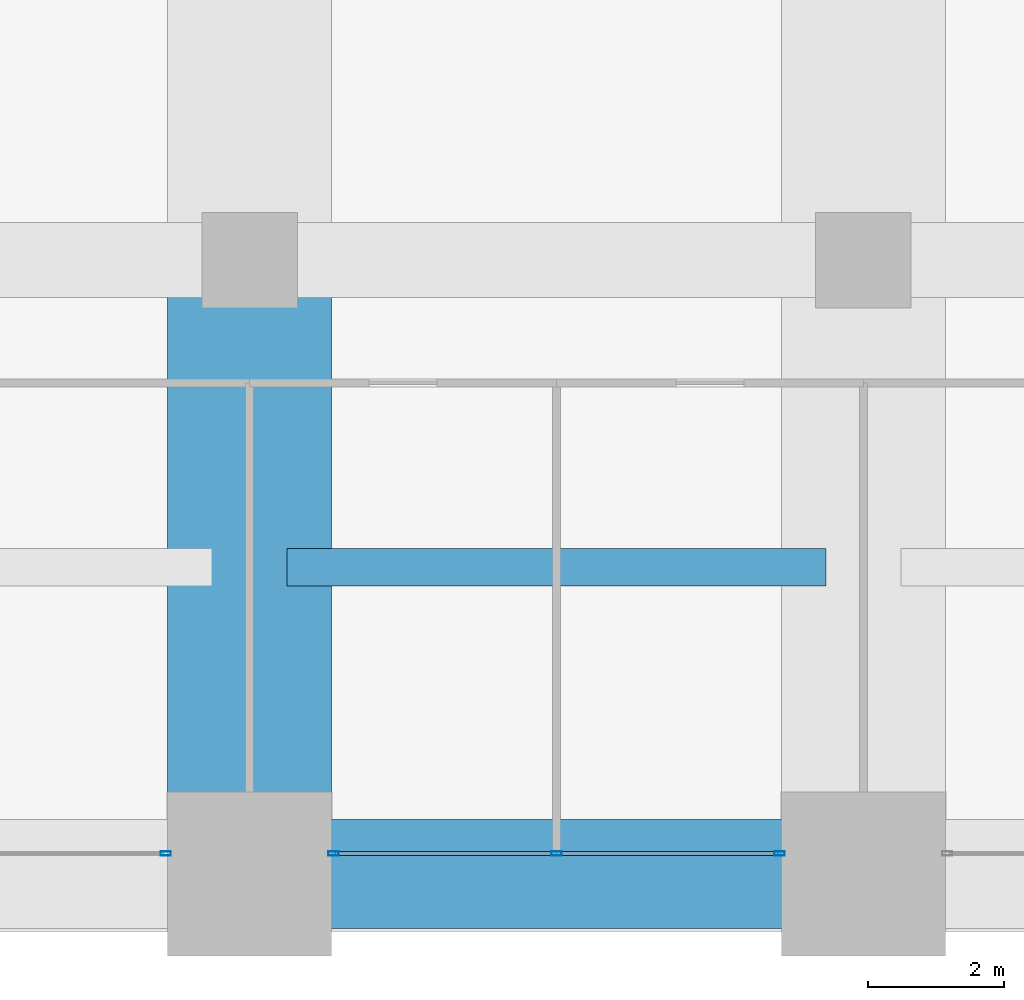
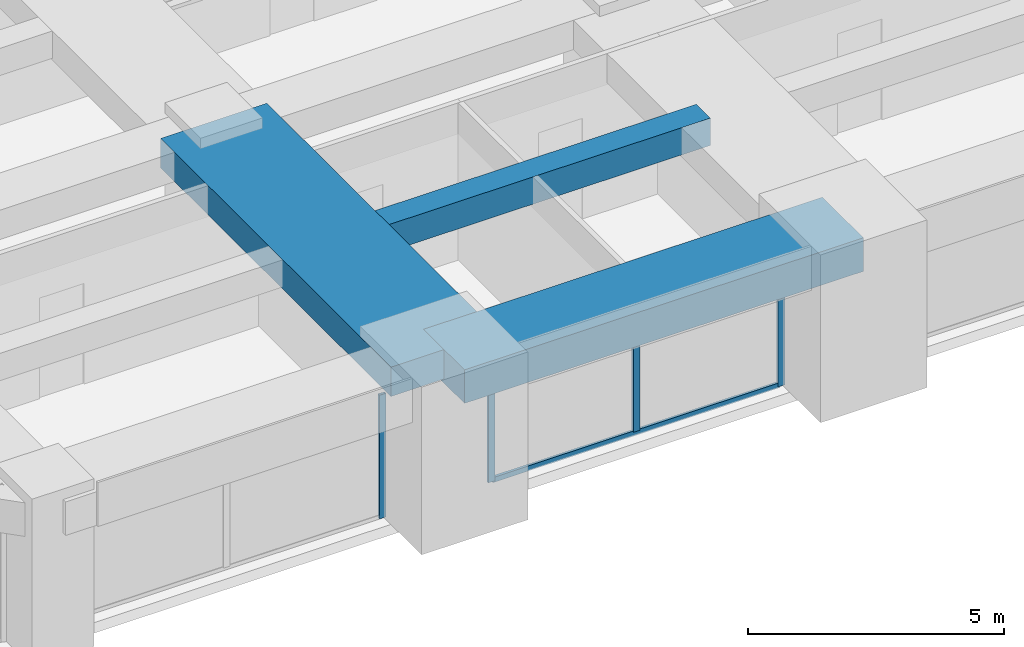
# One storey, part 6 of 35: 5 members, 3 beams, 2 elements without a shape of their own.
"""IFC4 building model written with IfcOpenShell, lengths in metres."""

from ifc_helpers import new_model, si_unit, direction, frame, origin, origin_2d, place, context, subcontext, project, spatial, rectangle, hollow_rectangle, extrude, material, material_profile, profile_set, type_object, element, aggregate, save


model = new_model("IFC4")

# Units and contexts
model_context = context("Model", 3, precision=1e-05, world=origin(), true_north=direction((0.0, 1.0)))
body_context = subcontext(model_context, "Body", "Model", "MODEL_VIEW")
ifc_project = project(units=[si_unit("LENGTHUNIT", "METRE"), si_unit("AREAUNIT", "SQUARE_METRE"), si_unit("VOLUMEUNIT", "CUBIC_METRE"), si_unit("PLANEANGLEUNIT", "RADIAN"), si_unit("MASSUNIT", "GRAM", prefix="KILO")], contexts=[model_context])

# Site, building, storey
site_placement = place(None, origin())
site = spatial("IfcSite", under=ifc_project, at=site_placement, CompositionType="ELEMENT")
building_placement = place(site_placement, origin())
building = spatial("IfcBuilding", under=site, at=building_placement, Name="Zorevar Civic Tower", CompositionType="ELEMENT")
storey_placement = place(building_placement, frame((0.0, 0.0, 222.199951171875)))
storey = spatial("IfcBuildingStorey", under=building, at=storey_placement, Name="L54", CompositionType="ELEMENT", Elevation=222.199951171875)

# Beams
ifc_material_1 = material(Name="Concrete C50/60", Category="concrete")
ifc_material_profile_1 = material_profile(ifc_material_1, rectangle(XDim=2.39990234375, YDim=0.699951171875, at=origin_2d()), Name="RC 2400x700")
ifc_profile_set_1 = profile_set([ifc_material_profile_1], Name="Concrete C50/60")
beam_type_1 = type_object("IfcBeamType", Name="Beam RC 2400x700", PredefinedType="BEAM", material=ifc_profile_set_1)
beam_1_placement = place(storey_placement, frame((18.0, 0.0, 3.400146484375), z_axis=(0.0, 1.0, 0.0), x_axis=(-1.0, 0.0, 0.0)))
element("IfcBeam", 1, at=beam_1_placement, inside=storey, type_object=beam_type_1, Name="Girder L55", PredefinedType="BEAM", context=body_context, shape_type="SweptSolid", body=[
    extrude(rectangle(XDim=2.39990234375, YDim=0.699951171875, at=origin_2d()), origin(), (0.0, 0.0, 1.0), 9.0),
])
ifc_material_2 = material(Name="Concrete C50/60", Category="concrete")
ifc_material_profile_2 = material_profile(ifc_material_2, rectangle(XDim=0.550048828125, YDim=0.64990234375, at=origin_2d()), Name="RC 550x650")
ifc_profile_set_2 = profile_set([ifc_material_profile_2], Name="Concrete C50/60")
beam_type_2 = type_object("IfcBeamType", Name="Beam RC 550x650", PredefinedType="BEAM", material=ifc_profile_set_2)
beam_2_placement = place(storey_placement, frame((18.550048828125, 4.5, 3.425048828125), z_axis=(1.0, 0.0, 0.0), x_axis=(0.0, 1.0, 0.0)))
element("IfcBeam", 2, at=beam_2_placement, inside=storey, type_object=beam_type_2, Name="Secondary beam L55", PredefinedType="BEAM", context=body_context, shape_type="SweptSolid", body=[
    extrude(rectangle(XDim=0.550048828125, YDim=0.64990234375, at=origin_2d()), origin(), (0.0, 0.0, 1.0), 7.89990234375),
])

# Curtain wall, member
ifc_material_3 = material(Name="Dark grey solar-control glass in black aluminium frame", Category="aluminium")
curtain_wall_type = type_object("IfcCurtainWallType", Name="Curtain wall CW4 high zone", PredefinedType="NOTDEFINED", material=ifc_material_3)
curtain_wall_1_placement = place(storey_placement, origin())
curtain_wall_1 = element("IfcCurtainWall", 3, at=curtain_wall_1_placement, inside=storey, type_object=curtain_wall_type, Name="CW4 L54", PredefinedType="NOTDEFINED")
ifc_material_4 = material(Name="Aluminium, black anodised", Category="aluminium")
ifc_material_profile_3 = material_profile(ifc_material_4, hollow_rectangle(XDim=0.06005859375, YDim=0.14990234375, WallThickness=0.00390625, at=origin_2d()), Name="AL 150x60x4")
ifc_profile_set_3 = profile_set([ifc_material_profile_3], Name="Aluminium, black anodised")
member_type_1 = type_object("IfcMemberType", Name="CW4 mullion AL 150x60x4", PredefinedType="MULLION", material=ifc_profile_set_3)
member_1_placement = place(storey_placement, frame((16.77001953125, 0.300048828125, 0.0), z_axis=(0.0, 0.0, 1.0), x_axis=(0.0, 1.0, 0.0)))
member_1 = element("IfcMember", 4, at=member_1_placement, type_object=member_type_1, Name="CW4 mullion 3", PredefinedType="MULLION", context=body_context, shape_type="SweptSolid", body=[
    extrude(hollow_rectangle(XDim=0.06005859375, YDim=0.14990234375, WallThickness=0.00390625, at=origin_2d()), origin(), (0.0, 0.0, 1.0), 2.949951171875),
])
aggregate(curtain_wall_1, [member_1])

# Curtain wall, members
curtain_wall_2_placement = place(storey_placement, origin())
curtain_wall_2 = element("IfcCurtainWall", 5, at=curtain_wall_2_placement, inside=storey, type_object=curtain_wall_type, Name="CW4 L54", PredefinedType="NOTDEFINED")
member_2_placement = place(storey_placement, frame((19.22998046875, 0.300048828125, 0.0), z_axis=(0.0, 0.0, 1.0), x_axis=(0.0, 1.0, 0.0)))
member_2 = element("IfcMember", 6, at=member_2_placement, type_object=member_type_1, Name="CW4 mullion 1", PredefinedType="MULLION", context=body_context, shape_type="SweptSolid", body=[
    extrude(hollow_rectangle(XDim=0.06005859375, YDim=0.14990234375, WallThickness=0.00390625, at=origin_2d()), origin(), (0.0, 0.0, 1.0), 2.949951171875),
])
member_3_placement = place(storey_placement, frame((22.5, 0.300048828125, 0.06005859375), z_axis=(0.0, 0.0, 1.0), x_axis=(0.0, 1.0, 0.0)))
member_3 = element("IfcMember", 7, at=member_3_placement, type_object=member_type_1, Name="CW4 mullion 2", PredefinedType="MULLION", context=body_context, shape_type="SweptSolid", body=[
    extrude(hollow_rectangle(XDim=0.06005859375, YDim=0.14990234375, WallThickness=0.00390625, at=origin_2d()), origin(), (0.0, 0.0, 1.0), 2.889892578125),
])
member_4_placement = place(storey_placement, frame((25.77001953125, 0.300048828125, 0.0), z_axis=(0.0, 0.0, 1.0), x_axis=(0.0, 1.0, 0.0)))
member_4 = element("IfcMember", 8, at=member_4_placement, type_object=member_type_1, Name="CW4 mullion 3", PredefinedType="MULLION", context=body_context, shape_type="SweptSolid", body=[
    extrude(hollow_rectangle(XDim=0.06005859375, YDim=0.14990234375, WallThickness=0.00390625, at=origin_2d()), origin(), (0.0, 0.0, 1.0), 2.949951171875),
])
ifc_material_5 = material(Name="Aluminium, black anodised", Category="aluminium")
ifc_material_profile_4 = material_profile(ifc_material_5, hollow_rectangle(XDim=0.06005859375, YDim=0.1201171875, WallThickness=0.0029296875, at=origin_2d()), Name="AL 120x60x3")
ifc_profile_set_4 = profile_set([ifc_material_profile_4], Name="Aluminium, black anodised")
member_type_2 = type_object("IfcMemberType", Name="CW4 transom AL 120x60x3", PredefinedType="USERDEFINED", material=ifc_profile_set_4)
member_5_placement = place(storey_placement, frame((19.260009765625, 0.300048828125, 0.030029296875), z_axis=(1.0, 0.0, 0.0), x_axis=(0.0, 1.0, 0.0)))
member_5 = element("IfcMember", 9, at=member_5_placement, type_object=member_type_2, Name="CW4 sill transom", ObjectType="TRANSOM", PredefinedType="USERDEFINED", context=body_context, shape_type="SweptSolid", body=[
    extrude(hollow_rectangle(XDim=0.06005859375, YDim=0.1201171875, WallThickness=0.0029296875, at=origin_2d()), origin(), (0.0, 0.0, 1.0), 6.47998046875),
])
aggregate(curtain_wall_2, [member_2, member_3, member_4, member_5])

# Beam
ifc_material_6 = material(Name="Concrete C50/60", Category="concrete")
ifc_material_profile_5 = material_profile(ifc_material_6, rectangle(XDim=1.60009765625, YDim=0.800048828125, at=origin_2d()), Name="RC 1600x800")
ifc_profile_set_5 = profile_set([ifc_material_profile_5], Name="Concrete C50/60")
beam_type_3 = type_object("IfcBeamType", Name="Edge beam RC 1600x800", PredefinedType="SPANDREL", material=ifc_profile_set_5)
beam_3_placement = place(storey_placement, frame((18.0, 0.0, 3.35009765625), z_axis=(1.0, 0.0, 0.0), x_axis=(0.0, 1.0, 0.0)))
element("IfcBeam", 10, at=beam_3_placement, inside=storey, type_object=beam_type_3, Name="Edge beam L55", PredefinedType="SPANDREL", context=body_context, shape_type="SweptSolid", body=[
    extrude(rectangle(XDim=1.60009765625, YDim=0.800048828125, at=origin_2d()), origin(), (0.0, 0.0, 1.0), 9.0),
])

save(model, "model.ifc")
